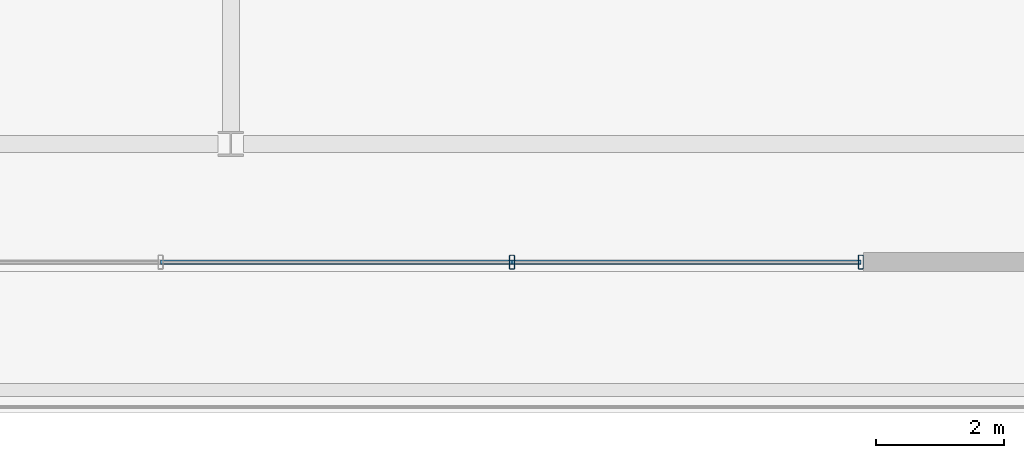
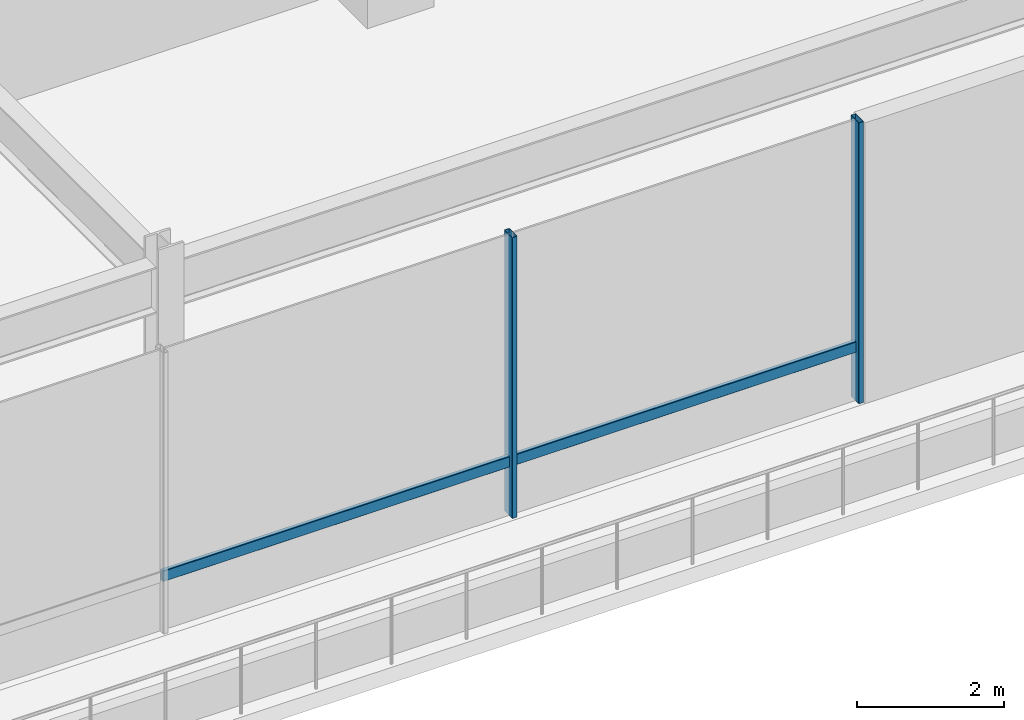
# One storey, part 11 of 38: 4 members, 1 element without a shape of its own.
"""IFC4 building model written with IfcOpenShell, lengths in metres."""

from ifc_helpers import new_model, si_unit, direction, frame, origin, origin_2d, place, context, subcontext, project, spatial, hollow_rectangle, extrude, material, layer, layer_set, material_profile, profile_set, type_object, element, aggregate, save


model = new_model("IFC4")

# Units and contexts
model_context = context("Model", 3, precision=1e-05, world=origin(), true_north=direction((0.0, 1.0)))
body_context = subcontext(model_context, "Body", "Model", "MODEL_VIEW")
ifc_project = project(units=[si_unit("LENGTHUNIT", "METRE"), si_unit("AREAUNIT", "SQUARE_METRE"), si_unit("VOLUMEUNIT", "CUBIC_METRE"), si_unit("PLANEANGLEUNIT", "RADIAN"), si_unit("MASSUNIT", "GRAM", prefix="KILO")], contexts=[model_context])

# Site, building, storey
site_placement = place(None, origin())
site = spatial("IfcSite", under=ifc_project, at=site_placement, CompositionType="ELEMENT")
building_placement = place(site_placement, origin())
building = spatial("IfcBuilding", under=site, at=building_placement, Name="Korimba Cascade Residences", CompositionType="ELEMENT")
storey_placement = place(building_placement, frame((0.0, 0.0, 19.0)))
storey = spatial("IfcBuildingStorey", under=building, at=storey_placement, Name="L04", CompositionType="ELEMENT", Elevation=19.0)

# Curtain wall, members
ifc_material_1 = material(Name="Anodised Aluminium Curtain Wall Framing", Category="aluminium")
ifc_layer = layer(ifc_material_1, 0.179931640625)
ifc_layer_set = layer_set([ifc_layer], Name="Anodised Aluminium Curtain Wall Framing")
curtain_wall_type = type_object("IfcCurtainWallType", Name="CW-POD-SYS1", PredefinedType="NOTDEFINED", material=ifc_layer_set)
curtain_wall_placement = place(storey_placement, origin())
curtain_wall = element("IfcCurtainWall", 1, at=curtain_wall_placement, inside=storey, type_object=curtain_wall_type, Name="L04 Curtain Wall CW-L04-POD-S", PredefinedType="NOTDEFINED")
ifc_material_2 = material(Name="Anodised Aluminium Mullion", Category="aluminium")
ifc_material_profile_1 = material_profile(ifc_material_2, hollow_rectangle(XDim=0.080078125, YDim=0.219970703125, WallThickness=0.00634765625, InnerFilletRadius=0.00634765625, OuterFilletRadius=0.0126953125, at=origin_2d()), Name="Anodised Aluminium Mullion")
ifc_profile_set_1 = profile_set([ifc_material_profile_1], Name="Anodised Aluminium Mullion")
member_type_1 = type_object("IfcMemberType", Name="CWM-MUL-220", PredefinedType="MULLION", material=ifc_profile_set_1)
member_1_placement = place(storey_placement, frame((104.5, -15.64990234375, 0.0), z_axis=(0.0, 0.0, 1.0), x_axis=(1.0, 0.0, 0.0)))
member_1 = element("IfcMember", 2, at=member_1_placement, type_object=member_type_1, Name="CW-L04-POD-S Mullion 4", PredefinedType="MULLION", context=body_context, shape_type="SweptSolid", body=[
    extrude(hollow_rectangle(XDim=0.080078125, YDim=0.219970703125, WallThickness=0.00634765625, InnerFilletRadius=0.00634765625, OuterFilletRadius=0.0126953125, at=origin_2d()), origin(), (0.0, 0.0, 1.0), 4.679931640625),
])
member_2_placement = place(storey_placement, frame((109.9599609375, -15.64990234375, 0.0), z_axis=(0.0, 0.0, 1.0), x_axis=(1.0, 0.0, 0.0)))
member_2 = element("IfcMember", 3, at=member_2_placement, type_object=member_type_1, Name="CW-L04-POD-S Mullion 5", PredefinedType="MULLION", context=body_context, shape_type="SweptSolid", body=[
    extrude(hollow_rectangle(XDim=0.080078125, YDim=0.219970703125, WallThickness=0.00634765625, InnerFilletRadius=0.00634765625, OuterFilletRadius=0.0126953125, at=origin_2d()), origin(), (0.0, 0.0, 1.0), 4.679931640625),
])
ifc_material_3 = material(Name="Anodised Aluminium Transom", Category="aluminium")
ifc_material_profile_2 = material_profile(ifc_material_3, hollow_rectangle(XDim=0.070068359375, YDim=0.179931640625, WallThickness=0.0048828125, InnerFilletRadius=0.0048828125, OuterFilletRadius=0.010009765625, at=origin_2d()), Name="Anodised Aluminium Transom")
ifc_profile_set_2 = profile_set([ifc_material_profile_2], Name="Anodised Aluminium Transom")
member_type_2 = type_object("IfcMemberType", Name="CWM-TRN-150", PredefinedType="USERDEFINED", material=ifc_profile_set_2)
member_3_placement = place(storey_placement, frame((99.0, -15.64990234375, 0.89990234375), z_axis=(1.0, 0.0, 0.0), x_axis=(0.0, 1.0, 0.0)))
member_3 = element("IfcMember", 4, at=member_3_placement, type_object=member_type_2, Name="CW-L04-POD-S Transom 3", ObjectType="TRANSOM", PredefinedType="USERDEFINED", context=body_context, shape_type="SweptSolid", body=[
    extrude(hollow_rectangle(XDim=0.070068359375, YDim=0.179931640625, WallThickness=0.0048828125, InnerFilletRadius=0.0048828125, OuterFilletRadius=0.010009765625, at=origin_2d()), origin(), (0.0, 0.0, 1.0), 5.5),
])
member_4_placement = place(storey_placement, frame((104.5, -15.64990234375, 0.89990234375), z_axis=(1.0, 0.0, 0.0), x_axis=(0.0, 1.0, 0.0)))
member_4 = element("IfcMember", 5, at=member_4_placement, type_object=member_type_2, Name="CW-L04-POD-S Transom 4", ObjectType="TRANSOM", PredefinedType="USERDEFINED", context=body_context, shape_type="SweptSolid", body=[
    extrude(hollow_rectangle(XDim=0.070068359375, YDim=0.179931640625, WallThickness=0.0048828125, InnerFilletRadius=0.0048828125, OuterFilletRadius=0.010009765625, at=origin_2d()), origin(), (0.0, 0.0, 1.0), 5.4599609375),
])
aggregate(curtain_wall, [member_1, member_2, member_3, member_4])

save(model, "model.ifc")
